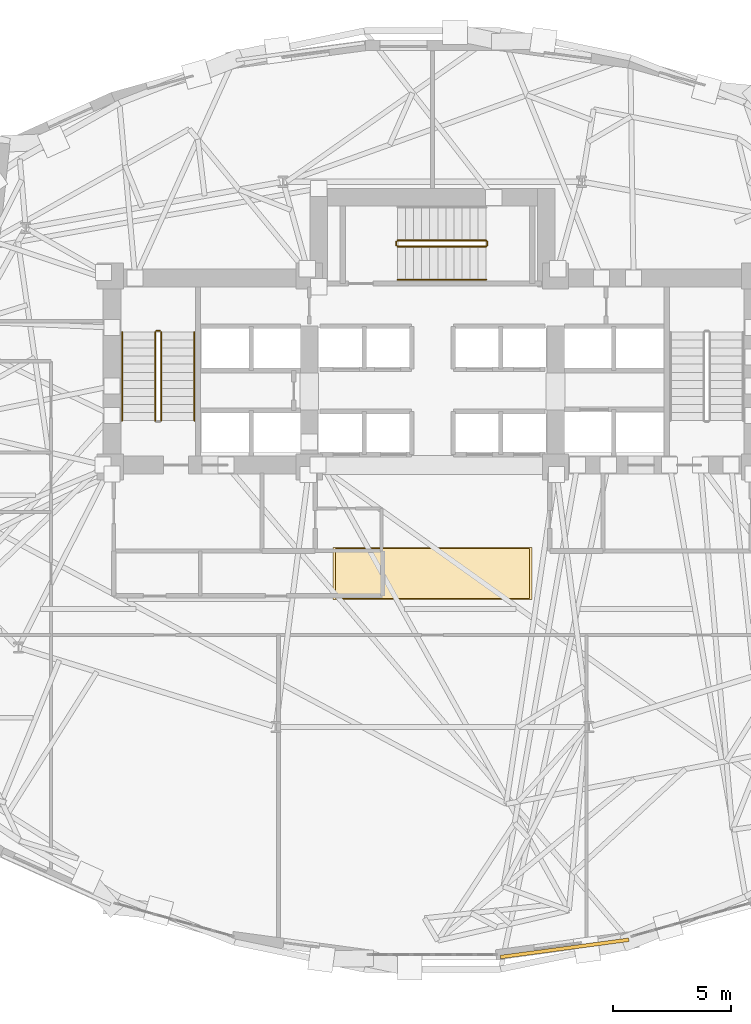
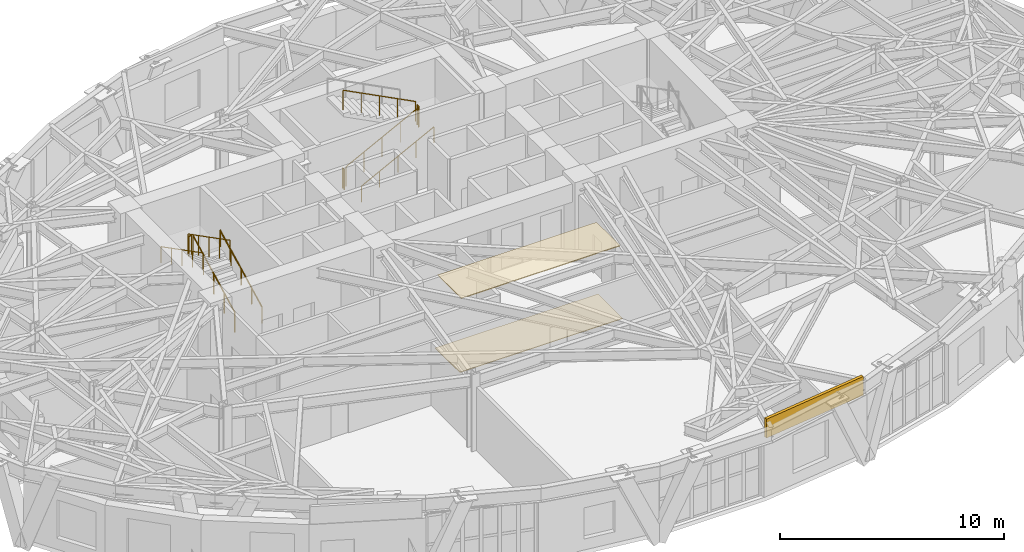
# One storey, part 18 of 20: 10 railings, 3 coverings.
"""IFC4 building model written with IfcOpenShell, lengths in metres."""

from ifc_helpers import new_model, si_unit, direction, frame, origin, origin_2d, place, context, subcontext, project, spatial, rectangle, circle, extrude, material, layer, layer_set, type_object, element, save


model = new_model("IFC4")

# Units and contexts
model_context = context("Model", 3, precision=1e-05, world=origin(), true_north=direction((0.0, 1.0)))
body_context = subcontext(model_context, "Body", "Model", "MODEL_VIEW")
ifc_project = project(units=[si_unit("LENGTHUNIT", "METRE"), si_unit("AREAUNIT", "SQUARE_METRE"), si_unit("VOLUMEUNIT", "CUBIC_METRE"), si_unit("PLANEANGLEUNIT", "RADIAN"), si_unit("MASSUNIT", "GRAM", prefix="KILO")], contexts=[model_context])

# Site, building, storey
site_placement = place(None, origin())
site = spatial("IfcSite", under=ifc_project, at=site_placement, CompositionType="ELEMENT")
building_placement = place(site_placement, origin())
building = spatial("IfcBuilding", under=site, at=building_placement, Name="Keldmark Tower", CompositionType="ELEMENT")
storey_placement = place(building_placement, frame((0.0, 0.0, 81.89990234375)))
storey = spatial("IfcBuildingStorey", under=building, at=storey_placement, Name="L21", CompositionType="ELEMENT", Elevation=81.89990234375)

# Covering
ifc_material_1 = material(Name="Honed Kasota Buff Dolomitic Limestone", Category="masonry")
ifc_layer_1 = layer(ifc_material_1, 0.074951171875)
ifc_layer_set_1 = layer_set([ifc_layer_1], Name="Honed Kasota Buff Dolomitic Limestone")
covering_type_1 = type_object("IfcCoveringType", Name="Kasota Buff Limestone Spandrel Cladding Band", PredefinedType="CLADDING", material=ifc_layer_set_1)
covering_1_placement = place(storey_placement, frame((5.576904296875, -18.92431640625, 3.15185546875), z_axis=(0.0, 0.0, 1.0), x_axis=(0.991050889278, 0.133484586607, 0.0)))
element("IfcCovering", 1, at=covering_1_placement, inside=storey, type_object=covering_type_1, Name="L21 Kasota Limestone Spandrel Band 25", PredefinedType="CLADDING", context=body_context, shape_type="SweptSolid", body=[
    extrude(rectangle(XDim=5.46728515625, YDim=0.14990234375, at=origin_2d()), origin(), (0.0, 0.0, 1.0), 1.028076171875),
])

# Railings
ifc_material_2 = material(Name="Painted Steel ASTM A500 Grade B", Category="steel")
railing_type_1 = type_object("IfcRailingType", Name="Painted Steel Stair Well Guard 1100 mm", PredefinedType="GUARDRAIL", material=ifc_material_2)
railing_1_placement = place(storey_placement, frame((-11.449951171875, 3.35009765625, 0.175048828125)))
element("IfcRailing", 2, at=railing_1_placement, inside=storey, type_object=railing_type_1, Name="L21 ST1 stair guard 1", PredefinedType="GUARDRAIL", context=body_context, shape_type="SweptSolid", body=[
    extrude(circle(Radius=0.02392578125, at=origin_2d()), frame((0.0, 0.0, 1.076171875), z_axis=(0.0, 0.889130600629, 0.457653553493), x_axis=(-1.0, 0.0, 0.0)), (0.0, 0.0, 1.0), 4.206298828125),
    extrude(circle(Radius=0.02099609375, at=origin_2d()), origin(), (0.0, 0.0, 1.0), 1.052001953125),
    extrude(circle(Radius=0.02099609375, at=origin_2d()), frame((0.0, 0.93505859375, 0.481201171875)), (0.0, 0.0, 1.0), 1.052001953125),
    extrude(circle(Radius=0.02099609375, at=origin_2d()), frame((0.0, 1.8701171875, 0.96240234375)), (0.0, 0.0, 1.0), 1.052001953125),
    extrude(circle(Radius=0.02099609375, at=origin_2d()), frame((0.0, 2.804931640625, 1.44384765625)), (0.0, 0.0, 1.0), 1.052001953125),
    extrude(circle(Radius=0.02099609375, at=origin_2d()), frame((0.0, 3.739990234375, 1.925048828125)), (0.0, 0.0, 1.0), 1.052001953125),
])
railing_2_placement = place(storey_placement, frame((-11.5, 7.139892578125, 2.10009765625)))
element("IfcRailing", 3, at=railing_2_placement, inside=storey, type_object=railing_type_1, Name="L21 ST1 stair guard 2", PredefinedType="GUARDRAIL", context=body_context, shape_type="SweptSolid", body=[
    extrude(circle(Radius=0.02392578125, at=origin_2d()), frame((0.0, 0.0, 1.076171875), z_axis=(-1.0, 0.0, 0.0), x_axis=(0.0, -1.0, 0.0)), (0.0, 0.0, 1.0), 0.14990234375),
    extrude(circle(Radius=0.02099609375, at=origin_2d()), origin(), (0.0, 0.0, 1.0), 1.052001953125),
    extrude(circle(Radius=0.02099609375, at=origin_2d()), frame((-0.14990234375, 0.0, 0.0)), (0.0, 0.0, 1.0), 1.052001953125),
])
railing_3_placement = place(storey_placement, frame((-11.699951171875, 7.090087890625, 2.275146484375)))
element("IfcRailing", 4, at=railing_3_placement, inside=storey, type_object=railing_type_1, Name="L21 ST1 stair guard 3", PredefinedType="GUARDRAIL", context=body_context, shape_type="SweptSolid", body=[
    extrude(circle(Radius=0.02392578125, at=origin_2d()), frame((0.0, 0.0, 1.076171875), z_axis=(0.0, -0.889130600629, 0.457653553493), x_axis=(1.0, 0.0, 0.0)), (0.0, 0.0, 1.0), 4.206298828125),
    extrude(circle(Radius=0.02099609375, at=origin_2d()), origin(), (0.0, 0.0, 1.0), 1.052001953125),
    extrude(circle(Radius=0.02099609375, at=origin_2d()), frame((0.0, -0.93505859375, 0.481201171875)), (0.0, 0.0, 1.0), 1.052001953125),
    extrude(circle(Radius=0.02099609375, at=origin_2d()), frame((0.0, -1.8701171875, 0.96240234375)), (0.0, 0.0, 1.0), 1.052001953125),
    extrude(circle(Radius=0.02099609375, at=origin_2d()), frame((0.0, -2.804931640625, 1.44384765625)), (0.0, 0.0, 1.0), 1.052001953125),
    extrude(circle(Radius=0.02099609375, at=origin_2d()), frame((0.0, -3.739990234375, 1.925048828125)), (0.0, 0.0, 1.0), 1.052001953125),
])
railing_4_placement = place(storey_placement, frame((-1.47509765625, 10.699951171875, 0.175048828125)))
element("IfcRailing", 5, at=railing_4_placement, inside=storey, type_object=railing_type_1, Name="L21 ST3 stair guard 1", PredefinedType="GUARDRAIL", context=body_context, shape_type="SweptSolid", body=[
    extrude(circle(Radius=0.02392578125, at=origin_2d()), frame((0.0, 0.0, 1.076171875), z_axis=(0.889130600629, 0.0, 0.457653553493), x_axis=(0.0, 1.0, 0.0)), (0.0, 0.0, 1.0), 4.206298828125),
    extrude(circle(Radius=0.02099609375, at=origin_2d()), origin(), (0.0, 0.0, 1.0), 1.052001953125),
    extrude(circle(Radius=0.02099609375, at=origin_2d()), frame((0.93505859375, 0.0, 0.481201171875)), (0.0, 0.0, 1.0), 1.052001953125),
    extrude(circle(Radius=0.02099609375, at=origin_2d()), frame((1.8701171875, 0.0, 0.96240234375)), (0.0, 0.0, 1.0), 1.052001953125),
    extrude(circle(Radius=0.02099609375, at=origin_2d()), frame((2.804931640625, 0.0, 1.44384765625)), (0.0, 0.0, 1.0), 1.052001953125),
    extrude(circle(Radius=0.02099609375, at=origin_2d()), frame((3.739990234375, 0.0, 1.925048828125)), (0.0, 0.0, 1.0), 1.052001953125),
])
railing_5_placement = place(storey_placement, frame((2.31494140625, 10.75, 2.10009765625)))
element("IfcRailing", 6, at=railing_5_placement, inside=storey, type_object=railing_type_1, Name="L21 ST3 stair guard 2", PredefinedType="GUARDRAIL", context=body_context, shape_type="SweptSolid", body=[
    extrude(circle(Radius=0.02392578125, at=origin_2d()), frame((0.0, 0.0, 1.076171875), z_axis=(0.0, 1.0, 0.0), x_axis=(-1.0, 0.0, 0.0)), (0.0, 0.0, 1.0), 0.14990234375),
    extrude(circle(Radius=0.02099609375, at=origin_2d()), origin(), (0.0, 0.0, 1.0), 1.052001953125),
    extrude(circle(Radius=0.02099609375, at=origin_2d()), frame((0.0, 0.14990234375, 0.0)), (0.0, 0.0, 1.0), 1.052001953125),
])
railing_6_placement = place(storey_placement, frame((2.264892578125, 10.949951171875, 2.275146484375)))
element("IfcRailing", 7, at=railing_6_placement, inside=storey, type_object=railing_type_1, Name="L21 ST3 stair guard 3", PredefinedType="GUARDRAIL", context=body_context, shape_type="SweptSolid", body=[
    extrude(circle(Radius=0.02392578125, at=origin_2d()), frame((0.0, 0.0, 1.076171875), z_axis=(-0.889130600629, 0.0, 0.457653553493), x_axis=(0.0, -1.0, 0.0)), (0.0, 0.0, 1.0), 4.206298828125),
    extrude(circle(Radius=0.02099609375, at=origin_2d()), origin(), (0.0, 0.0, 1.0), 1.052001953125),
    extrude(circle(Radius=0.02099609375, at=origin_2d()), frame((-0.93505859375, 0.0, 0.481201171875)), (0.0, 0.0, 1.0), 1.052001953125),
    extrude(circle(Radius=0.02099609375, at=origin_2d()), frame((-1.8701171875, 0.0, 0.96240234375)), (0.0, 0.0, 1.0), 1.052001953125),
    extrude(circle(Radius=0.02099609375, at=origin_2d()), frame((-2.804931640625, 0.0, 1.44384765625)), (0.0, 0.0, 1.0), 1.052001953125),
    extrude(circle(Radius=0.02099609375, at=origin_2d()), frame((-3.739990234375, 0.0, 1.925048828125)), (0.0, 0.0, 1.0), 1.052001953125),
])
railing_7_placement = place(storey_placement, frame((-1.52490234375, 10.75, 0.0)))
element("IfcRailing", 8, at=railing_7_placement, inside=storey, type_object=railing_type_1, Name="L21 ST3 stair guard 4", PredefinedType="GUARDRAIL", context=body_context, shape_type="SweptSolid", body=[
    extrude(circle(Radius=0.02392578125, at=origin_2d()), frame((0.0, 0.0, 1.076171875), z_axis=(0.0, 1.0, 0.0), x_axis=(-1.0, 0.0, 0.0)), (0.0, 0.0, 1.0), 0.14990234375),
    extrude(circle(Radius=0.02099609375, at=origin_2d()), origin(), (0.0, 0.0, 1.0), 1.052001953125),
    extrude(circle(Radius=0.02099609375, at=origin_2d()), frame((0.0, 0.14990234375, 0.0)), (0.0, 0.0, 1.0), 1.052001953125),
])
ifc_material_3 = material(Name="Stainless Steel AISI 316L", Category="steel")
railing_type_2 = type_object("IfcRailingType", Name="Stainless Steel Stair Handrail 900 mm", PredefinedType="HANDRAIL", material=ifc_material_3)
railing_8_placement = place(storey_placement, frame((-10.050048828125, 3.35009765625, 0.175048828125)))
element("IfcRailing", 9, at=railing_8_placement, inside=storey, type_object=railing_type_2, Name="L21 ST1 stair handrail 1", PredefinedType="HANDRAIL", context=body_context, shape_type="SweptSolid", body=[
    extrude(circle(Radius=0.02392578125, at=origin_2d()), frame((0.0, 0.0, 0.8759765625), z_axis=(0.0, 0.889130600629, 0.457653553493), x_axis=(-1.0, 0.0, 0.0)), (0.0, 0.0, 1.0), 4.206298828125),
    extrude(circle(Radius=0.02099609375, at=origin_2d()), origin(), (0.0, 0.0, 1.0), 0.851806640625),
    extrude(circle(Radius=0.02099609375, at=origin_2d()), frame((0.0, 0.93505859375, 0.481201171875)), (0.0, 0.0, 1.0), 0.851806640625),
    extrude(circle(Radius=0.02099609375, at=origin_2d()), frame((0.0, 1.8701171875, 0.96240234375)), (0.0, 0.0, 1.0), 0.851806640625),
    extrude(circle(Radius=0.02099609375, at=origin_2d()), frame((0.0, 2.804931640625, 1.44384765625)), (0.0, 0.0, 1.0), 0.851806640625),
    extrude(circle(Radius=0.02099609375, at=origin_2d()), frame((0.0, 3.739990234375, 1.925048828125)), (0.0, 0.0, 1.0), 0.851806640625),
])
railing_9_placement = place(storey_placement, frame((-13.10009765625, 7.090087890625, 2.275146484375)))
element("IfcRailing", 10, at=railing_9_placement, inside=storey, type_object=railing_type_2, Name="L21 ST1 stair handrail 2", PredefinedType="HANDRAIL", context=body_context, shape_type="SweptSolid", body=[
    extrude(circle(Radius=0.02392578125, at=origin_2d()), frame((0.0, 0.0, 0.8759765625), z_axis=(0.0, -0.889130600629, 0.457653553493), x_axis=(1.0, 0.0, 0.0)), (0.0, 0.0, 1.0), 4.206298828125),
    extrude(circle(Radius=0.02099609375, at=origin_2d()), origin(), (0.0, 0.0, 1.0), 0.851806640625),
    extrude(circle(Radius=0.02099609375, at=origin_2d()), frame((0.0, -0.93505859375, 0.481201171875)), (0.0, 0.0, 1.0), 0.851806640625),
    extrude(circle(Radius=0.02099609375, at=origin_2d()), frame((0.0, -1.8701171875, 0.96240234375)), (0.0, 0.0, 1.0), 0.851806640625),
    extrude(circle(Radius=0.02099609375, at=origin_2d()), frame((0.0, -2.804931640625, 1.44384765625)), (0.0, 0.0, 1.0), 0.851806640625),
    extrude(circle(Radius=0.02099609375, at=origin_2d()), frame((0.0, -3.739990234375, 1.925048828125)), (0.0, 0.0, 1.0), 0.851806640625),
])
railing_10_placement = place(storey_placement, frame((-1.47509765625, 9.300048828125, 0.175048828125)))
element("IfcRailing", 11, at=railing_10_placement, inside=storey, type_object=railing_type_2, Name="L21 ST3 stair handrail 1", PredefinedType="HANDRAIL", context=body_context, shape_type="SweptSolid", body=[
    extrude(circle(Radius=0.02392578125, at=origin_2d()), frame((0.0, 0.0, 0.8759765625), z_axis=(0.889130600629, 0.0, 0.457653553493), x_axis=(0.0, 1.0, 0.0)), (0.0, 0.0, 1.0), 4.206298828125),
    extrude(circle(Radius=0.02099609375, at=origin_2d()), origin(), (0.0, 0.0, 1.0), 0.851806640625),
    extrude(circle(Radius=0.02099609375, at=origin_2d()), frame((0.93505859375, 0.0, 0.481201171875)), (0.0, 0.0, 1.0), 0.851806640625),
    extrude(circle(Radius=0.02099609375, at=origin_2d()), frame((1.8701171875, 0.0, 0.96240234375)), (0.0, 0.0, 1.0), 0.851806640625),
    extrude(circle(Radius=0.02099609375, at=origin_2d()), frame((2.804931640625, 0.0, 1.44384765625)), (0.0, 0.0, 1.0), 0.851806640625),
    extrude(circle(Radius=0.02099609375, at=origin_2d()), frame((3.739990234375, 0.0, 1.925048828125)), (0.0, 0.0, 1.0), 0.851806640625),
])

# Coverings
ifc_material_4 = material(Name="Perforated Acoustic Gypsum and Recycled Mineral Wool", Category="gypsum")
ifc_layer_2 = layer(ifc_material_4, 0.044921875)
ifc_layer_set_2 = layer_set([ifc_layer_2], Name="Perforated Acoustic Gypsum and Recycled Mineral Wool")
covering_type_2 = type_object("IfcCoveringType", Name="Suspended Acoustic Mineral-Fiber Ceiling 45 mm", PredefinedType="CEILING", material=ifc_layer_set_2)
covering_2_placement = place(storey_placement, frame((0.0, -3.10009765625, 3.965087890625), z_axis=(0.0, 0.0, 1.0), x_axis=(1.0, 0.0, 0.0)))
element("IfcCovering", 12, at=covering_2_placement, inside=storey, type_object=covering_type_2, Name="L21 Lift Lobby Acoustic Ceiling", PredefinedType="CEILING", context=body_context, shape_type="SweptSolid", body=[
    extrude(rectangle(XDim=8.199951171875, YDim=2.10009765625, at=origin_2d()), origin(), (0.0, 0.0, 1.0), 0.044921875),
])
ifc_material_5 = material(Name="Honed Minnesota Dolomitic Limestone Epoxy Terrazzo", Category="masonry")
ifc_layer_3 = layer(ifc_material_5, 0.034912109375)
ifc_layer_set_3 = layer_set([ifc_layer_3], Name="Honed Minnesota Dolomitic Limestone Epoxy Terrazzo")
covering_type_3 = type_object("IfcCoveringType", Name="Terrazzo Public Lobby Flooring 35 mm", PredefinedType="FLOORING", material=ifc_layer_set_3)
covering_3_placement = place(storey_placement, frame((0.0, -3.10009765625, 0.0), z_axis=(0.0, 0.0, 1.0), x_axis=(1.0, 0.0, 0.0)))
element("IfcCovering", 13, at=covering_3_placement, inside=storey, type_object=covering_type_3, Name="L21 Lift Lobby Finish Flooring", PredefinedType="FLOORING", context=body_context, shape_type="SweptSolid", body=[
    extrude(rectangle(XDim=8.39990234375, YDim=2.199951171875, at=origin_2d()), origin(), (0.0, 0.0, 1.0), 0.030029296875),
])

save(model, "model.ifc")
